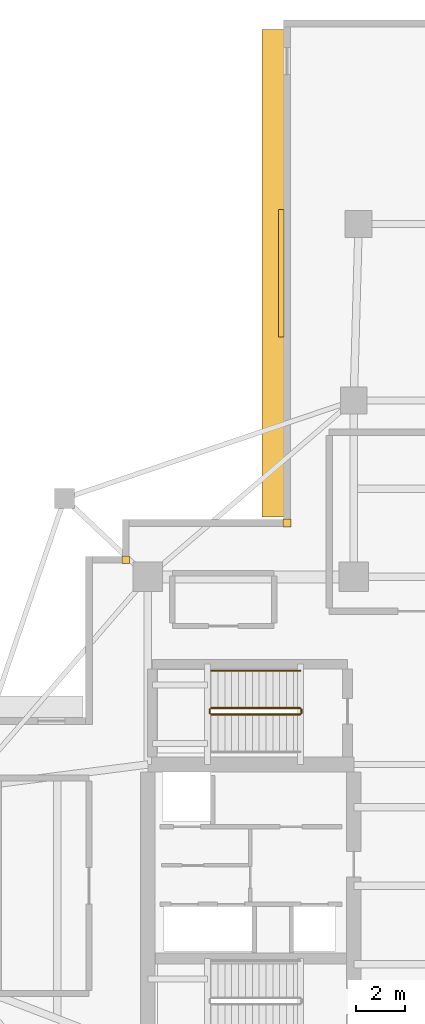
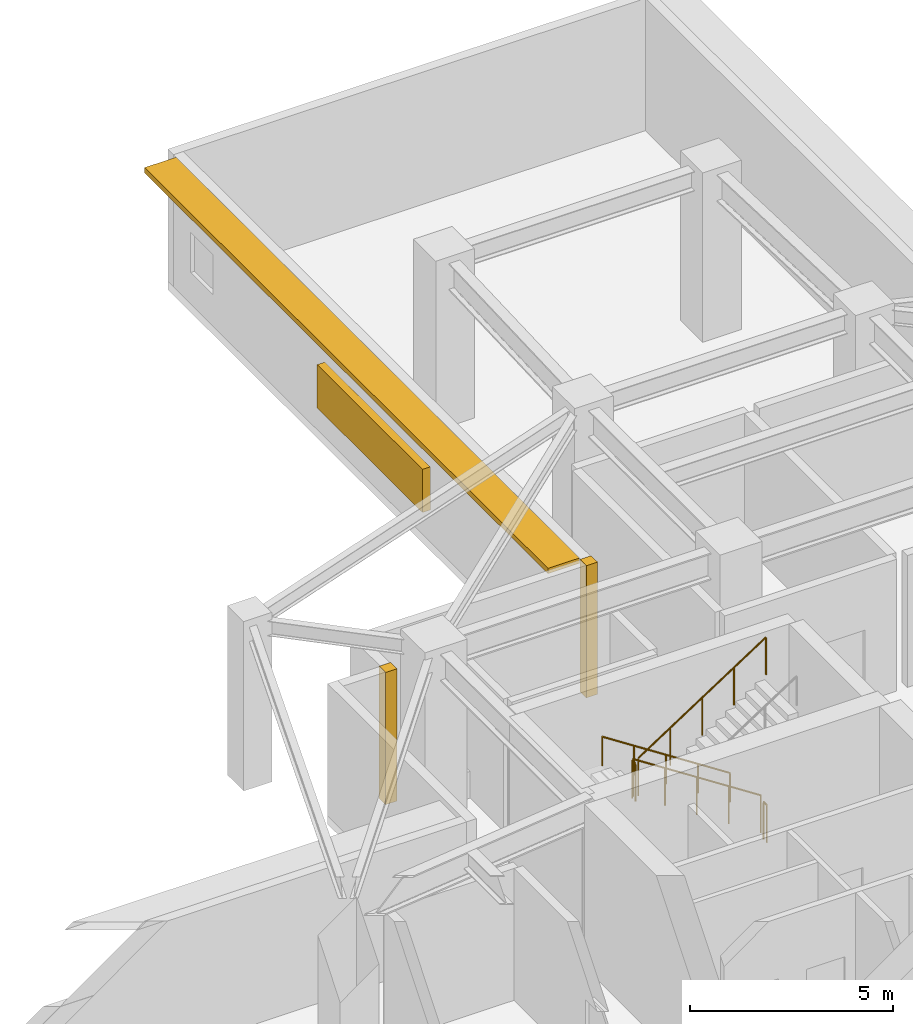
# One storey, part 10 of 11: 5 railings, 2 coverings, 2 shading devices.
"""IFC4 building model written with IfcOpenShell, lengths in metres."""

from ifc_helpers import new_model, si_unit, direction, frame, origin, origin_2d, place, context, subcontext, project, spatial, rectangle, circle, extrude, material, layer, layer_set, type_object, element, save


model = new_model("IFC4")

# Units and contexts
model_context = context("Model", 3, precision=1e-05, world=origin(), true_north=direction((0.0, 1.0)))
body_context = subcontext(model_context, "Body", "Model", "MODEL_VIEW")
ifc_project = project(units=[si_unit("LENGTHUNIT", "METRE"), si_unit("AREAUNIT", "SQUARE_METRE"), si_unit("VOLUMEUNIT", "CUBIC_METRE"), si_unit("PLANEANGLEUNIT", "RADIAN"), si_unit("MASSUNIT", "GRAM", prefix="KILO")], contexts=[model_context])

# Site, building, storey
site_placement = place(None, origin())
site = spatial("IfcSite", under=ifc_project, at=site_placement, CompositionType="ELEMENT")
building_placement = place(site_placement, origin())
building = spatial("IfcBuilding", under=site, at=building_placement, Name="Qingluan Cross Belvedere", CompositionType="ELEMENT")
storey_placement = place(building_placement, frame((0.0, 0.0, 143.699951171875)))
storey = spatial("IfcBuildingStorey", under=building, at=storey_placement, Name="L36", CompositionType="ELEMENT", Elevation=143.699951171875)

# Coverings
ifc_material_1 = material(Name="Precast concrete C45", Category="concrete")
ifc_layer_1 = layer(ifc_material_1, 0.1201171875, Name="ConcreteSpandrelCladding_120")
ifc_layer_set_1 = layer_set([ifc_layer_1], Name="Precast concrete C45")
covering_type = type_object("IfcCoveringType", Name="ConcreteSpandrelCladding_120", PredefinedType="CLADDING", material=ifc_layer_set_1)
for number, where, z_axis, x_axis, name in (
    (1, (-13.300048828125, 13.300048828125, 0.0), (0.0, 0.0, 1.0), (1.0, 0.0, 0.0), "Corner closure L36-NW1"),
    (2, (-6.719970703125, 14.800048828125, 0.0), (0.0, 0.0, 1.0), (1.0, 0.0, 0.0), "Corner closure L36-NW2"),
):
    element("IfcCovering", number, at=place(storey_placement, frame(where, z_axis=z_axis, x_axis=x_axis)), inside=storey, type_object=covering_type, Name=name, PredefinedType="CLADDING", context=body_context, shape_type="SweptSolid", body=[
        extrude(rectangle(XDim=0.320068359375, YDim=0.320068359375, at=origin_2d()), origin(), (0.0, 0.0, 1.0), 3.97998046875),
    ])

# Shading devices
ifc_material_2 = material(Name="Precast concrete C45", Category="concrete")
ifc_layer_2 = layer(ifc_material_2, 0.159912109375, Name="ConcreteSunshadeBand_900")
ifc_layer_set_2 = layer_set([ifc_layer_2], Name="Precast concrete C45")
shading_device_type_1 = type_object("IfcShadingDeviceType", Name="ConcreteSunshadeBand_900", PredefinedType="USERDEFINED", material=ifc_layer_set_2)
shading_device_1_placement = place(storey_placement, frame((-7.2900390625, 24.989990234375, 3.80029296875), z_axis=(0.0, 0.0, 1.0), x_axis=(0.0, -1.0, 0.0)))
element("IfcShadingDevice", 3, at=shading_device_1_placement, inside=storey, type_object=shading_device_type_1, Name="Concrete SUNSHADE L36-NB", ObjectType="SUNSHADE", PredefinedType="USERDEFINED", context=body_context, shape_type="SweptSolid", body=[
    extrude(rectangle(XDim=19.89990234375, YDim=0.89990234375, at=origin_2d()), origin(), (0.0, 0.0, 1.0), 0.159912109375),
])
ifc_material_3 = material(Name="Anodised aluminium acoustic louvre screen", Category="aluminium")
ifc_layer_3 = layer(ifc_material_3, 0.219970703125, Name="RefugeAcousticLouvre_Screen")
ifc_layer_set_3 = layer_set([ifc_layer_3], Name="Anodised aluminium acoustic louvre screen")
shading_device_type_2 = type_object("IfcShadingDeviceType", Name="RefugeAcousticLouvre_Screen", PredefinedType="JALOUSIE", material=ifc_layer_set_3)
shading_device_2_placement = place(storey_placement, frame((-6.9599609375, 24.989990234375, 0.9501953125), z_axis=(0.0, 0.0, 1.0), x_axis=(0.0, -1.0, 0.0)))
element("IfcShadingDevice", 4, at=shading_device_2_placement, inside=storey, type_object=shading_device_type_2, Name="Plant acoustic louvre SCREEN L36-NB", PredefinedType="JALOUSIE", context=body_context, shape_type="SweptSolid", body=[
    extrude(rectangle(XDim=5.199951171875, YDim=0.219970703125, at=origin_2d()), origin(), (0.0, 0.0, 1.0), 1.300048828125),
])

# Railings
ifc_material_4 = material(Name="Brushed stainless steel tubular handrail", Category="steel")
railing_type_1 = type_object("IfcRailingType", Name="StairPitchHandrail_900", PredefinedType="HANDRAIL", material=ifc_material_4)
railing_1_placement = place(storey_placement, frame((-6.179931640625, 8.77001953125, 0.18212890625)))
element("IfcRailing", 5, at=railing_1_placement, inside=storey, type_object=railing_type_1, Name="L36 ST3 stair handrail 1", PredefinedType="HANDRAIL", context=body_context, shape_type="SweptSolid", body=[
    extrude(circle(Radius=0.02392578125, at=origin_2d()), frame((0.0, 0.0, 0.8759765625), z_axis=(-0.83825089185, 0.0, 0.545284735081), x_axis=(0.0, -1.0, 0.0)), (0.0, 0.0, 1.0), 4.342529296875),
    extrude(circle(Radius=0.02099609375, at=origin_2d()), origin(), (0.0, 0.0, 1.0), 0.851806640625),
    extrude(circle(Radius=0.02099609375, at=origin_2d()), frame((-0.91015625, 0.0, 0.592041015625)), (0.0, 0.0, 1.0), 0.851806640625),
    extrude(circle(Radius=0.02099609375, at=origin_2d()), frame((-1.820068359375, 0.0, 1.18408203125)), (0.0, 0.0, 1.0), 0.851806640625),
    extrude(circle(Radius=0.02099609375, at=origin_2d()), frame((-2.72998046875, 0.0, 1.77587890625)), (0.0, 0.0, 1.0), 0.851806640625),
    extrude(circle(Radius=0.02099609375, at=origin_2d()), frame((-3.64013671875, 0.0, 2.367919921875)), (0.0, 0.0, 1.0), 0.851806640625),
])
ifc_material_5 = material(Name="Painted steel stair well guard", Category="steel")
railing_type_2 = type_object("IfcRailingType", Name="StairWellGuard_1150", PredefinedType="BALUSTRADE", material=ifc_material_5)
railing_2_placement = place(storey_placement, frame((-6.179931640625, 7.25, 0.18212890625)))
element("IfcRailing", 6, at=railing_2_placement, inside=storey, type_object=railing_type_2, Name="L36 ST3 stair guard 1", PredefinedType="BALUSTRADE", context=body_context, shape_type="SweptSolid", body=[
    extrude(circle(Radius=0.02392578125, at=origin_2d()), frame((0.0, 0.0, 1.1259765625), z_axis=(-0.83825089185, 0.0, 0.545284735081), x_axis=(0.0, -1.0, 0.0)), (0.0, 0.0, 1.0), 4.342529296875),
    extrude(circle(Radius=0.02099609375, at=origin_2d()), origin(), (0.0, 0.0, 1.0), 1.101806640625),
    extrude(circle(Radius=0.02099609375, at=origin_2d()), frame((-0.91015625, 0.0, 0.592041015625)), (0.0, 0.0, 1.0), 1.101806640625),
    extrude(circle(Radius=0.02099609375, at=origin_2d()), frame((-1.820068359375, 0.0, 1.18408203125)), (0.0, 0.0, 1.0), 1.101806640625),
    extrude(circle(Radius=0.02099609375, at=origin_2d()), frame((-2.72998046875, 0.0, 1.77587890625)), (0.0, 0.0, 1.0), 1.101806640625),
    extrude(circle(Radius=0.02099609375, at=origin_2d()), frame((-3.64013671875, 0.0, 2.367919921875)), (0.0, 0.0, 1.0), 1.101806640625),
])
railing_3_placement = place(storey_placement, frame((-9.8701171875, 7.199951171875, 2.550048828125)))
element("IfcRailing", 7, at=railing_3_placement, inside=storey, type_object=railing_type_2, Name="L36 ST3 stair guard 2", PredefinedType="BALUSTRADE", context=body_context, shape_type="SweptSolid", body=[
    extrude(circle(Radius=0.02392578125, at=origin_2d()), frame((0.0, 0.0, 1.1259765625), z_axis=(0.0, -1.0, 0.0), x_axis=(1.0, 0.0, 0.0)), (0.0, 0.0, 1.0), 0.159912109375),
    extrude(circle(Radius=0.02099609375, at=origin_2d()), origin(), (0.0, 0.0, 1.0), 1.101806640625),
    extrude(circle(Radius=0.02099609375, at=origin_2d()), frame((0.0, -0.159912109375, 0.0)), (0.0, 0.0, 1.0), 1.101806640625),
])
railing_4_placement = place(storey_placement, frame((-9.820068359375, 6.989990234375, 2.732177734375)))
element("IfcRailing", 8, at=railing_4_placement, inside=storey, type_object=railing_type_2, Name="L36 ST3 stair guard 3", PredefinedType="BALUSTRADE", context=body_context, shape_type="SweptSolid", body=[
    extrude(circle(Radius=0.02392578125, at=origin_2d()), frame((0.0, 0.0, 1.1259765625), z_axis=(0.83825089185, 0.0, 0.545284735081), x_axis=(0.0, 1.0, 0.0)), (0.0, 0.0, 1.0), 4.342529296875),
    extrude(circle(Radius=0.02099609375, at=origin_2d()), origin(), (0.0, 0.0, 1.0), 1.101806640625),
    extrude(circle(Radius=0.02099609375, at=origin_2d()), frame((0.91015625, 0.0, 0.592041015625)), (0.0, 0.0, 1.0), 1.101806640625),
    extrude(circle(Radius=0.02099609375, at=origin_2d()), frame((1.820068359375, 0.0, 1.18408203125)), (0.0, 0.0, 1.0), 1.101806640625),
    extrude(circle(Radius=0.02099609375, at=origin_2d()), frame((2.72998046875, 0.0, 1.77587890625)), (0.0, 0.0, 1.0), 1.101806640625),
    extrude(circle(Radius=0.02099609375, at=origin_2d()), frame((3.64013671875, 0.0, 2.367919921875)), (0.0, 0.0, 1.0), 1.101806640625),
])
railing_5_placement = place(storey_placement, frame((-6.1298828125, 7.199951171875, 0.0)))
element("IfcRailing", 9, at=railing_5_placement, inside=storey, type_object=railing_type_2, Name="L36 ST3 stair guard 4", PredefinedType="BALUSTRADE", context=body_context, shape_type="SweptSolid", body=[
    extrude(circle(Radius=0.02392578125, at=origin_2d()), frame((0.0, 0.0, 1.1259765625), z_axis=(0.0, -1.0, 0.0), x_axis=(1.0, 0.0, 0.0)), (0.0, 0.0, 1.0), 0.159912109375),
    extrude(circle(Radius=0.02099609375, at=origin_2d()), origin(), (0.0, 0.0, 1.0), 1.101806640625),
    extrude(circle(Radius=0.02099609375, at=origin_2d()), frame((0.0, -0.159912109375, 0.0)), (0.0, 0.0, 1.0), 1.101806640625),
])

save(model, "model.ifc")
